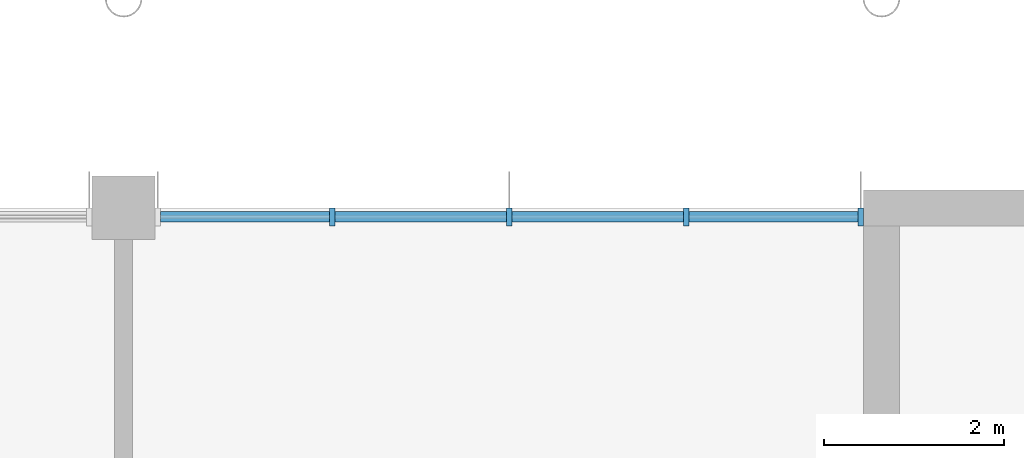
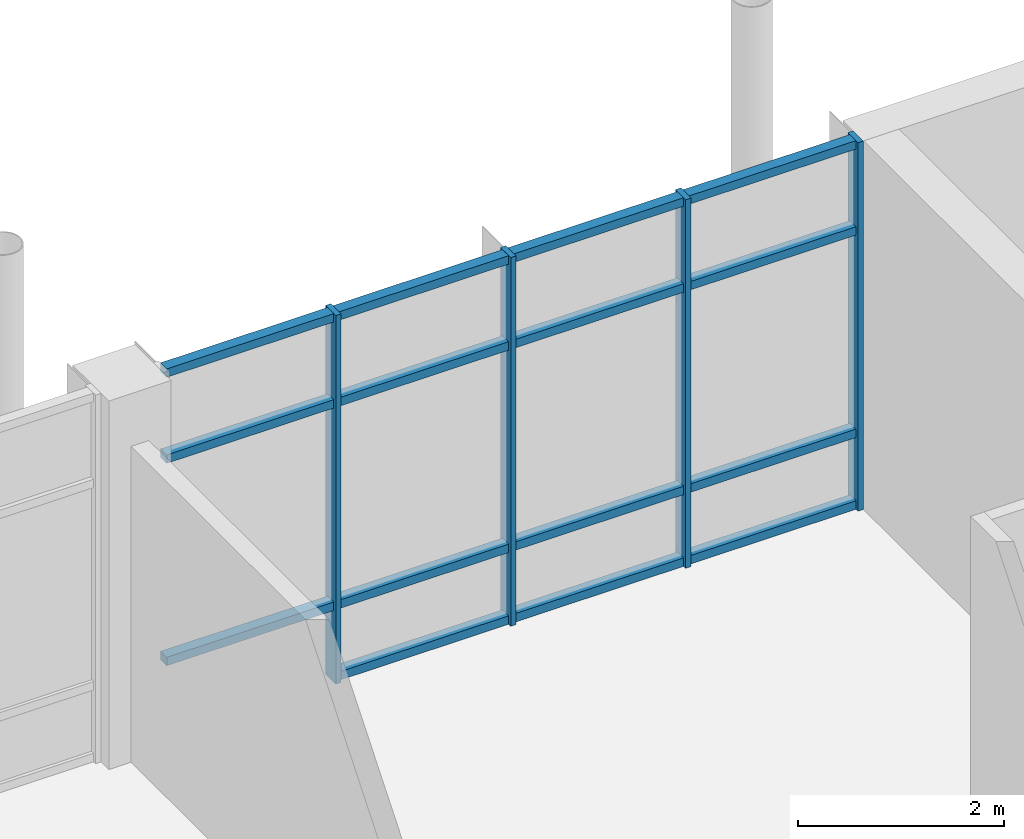
# One storey, part 23 of 70: 19 members, 1 element without a shape of its own.
"""IFC4 building model written with IfcOpenShell, lengths in metres."""

import ifcopenshell
import ifcopenshell.guid

model = None  # the IFC model being written
_history = None  # IfcOwnerHistory: only IFC2X3 demands one
_inside = {}  # id of a spatial element -> (the spatial element, [elements in it])
_under = {}  # id of a project, library or spatial element -> (it, [spatial elements below it])
_declared = {}  # id of a project -> (the project, [libraries it declares])
_typed = {}  # id of a type object -> (the type object, [elements of that type])
_made_of = {}  # id of a material, layer set ... -> (it, [elements and type objects made of it])


def new_model(schema):
    """Start an empty IFC model of exactly this schema.

    Asked for "IFC4X3", IfcOpenShell would pick the latest addendum, in which some entities
    have other attributes; the version numbers below select the first issue.
    IFC2X3 requires an IfcOwnerHistory on every rooted entity: one is made here for all.
    """
    global model, _history
    if schema == "IFC4X3":
        model = ifcopenshell.file(schema_version=(4, 3, 0, 0))
    else:
        model = ifcopenshell.file(schema=schema)
    _inside.clear()
    _under.clear()
    _declared.clear()
    _typed.clear()
    _made_of.clear()
    _history = None
    if model.schema == "IFC2X3":
        org = make("IfcOrganization", Name="unknown")
        user = make(
            "IfcPersonAndOrganization",
            ThePerson=make("IfcPerson", FamilyName="unknown"),
            TheOrganization=org,
        )
        app = make(
            "IfcApplication",
            ApplicationDeveloper=org,
            Version="unknown",
            ApplicationFullName="unknown",
            ApplicationIdentifier="unknown",
        )
        _history = make(
            "IfcOwnerHistory",
            OwningUser=user,
            OwningApplication=app,
            ChangeAction="ADDED",
            CreationDate=0,
        )
    return model


def make(cls, **values):
    """One entity of the class cls with the attributes given. An attribute that is None is left unset."""
    return model.create_entity(
        cls, **{name: value for name, value in values.items() if value is not None}
    )


def rooted(cls, **values):
    """An entity with a GlobalId (a new one), such as an element, a storey or a relation."""
    return make(cls, GlobalId=ifcopenshell.guid.new(), OwnerHistory=_history, **values)


def si_unit(unit_type, name, prefix=None):
    """IfcSIUnit, for example si_unit("LENGTHUNIT", "METRE", prefix="MILLI")."""
    return make("IfcSIUnit", UnitType=unit_type, Prefix=prefix, Name=name)


def assignment(units):
    """IfcUnitAssignment: the units of a project."""
    return None if units is None else make("IfcUnitAssignment", Units=units)


def point(xyz):
    """IfcCartesianPoint."""
    return None if xyz is None else make("IfcCartesianPoint", Coordinates=xyz)


def direction(xyz):
    """IfcDirection."""
    return None if xyz is None else make("IfcDirection", DirectionRatios=xyz)


def frame(location, z_axis=None, x_axis=None):
    """IfcAxis2Placement3D, a coordinate frame: its origin and axes. An axis left out is left unset."""
    return make(
        "IfcAxis2Placement3D",
        Location=point(location),
        Axis=direction(z_axis),
        RefDirection=direction(x_axis),
    )


def frame_2d(location, x_axis=None):
    """IfcAxis2Placement2D, a coordinate frame in the plane: its origin and x axis."""
    return make(
        "IfcAxis2Placement2D", Location=point(location), RefDirection=direction(x_axis)
    )


def origin():
    """The frame at (0, 0, 0) with its axes left unset."""
    return frame((0.0, 0.0, 0.0))


def origin_2d():
    """The frame at (0, 0) in the plane with its x axis left unset."""
    return frame_2d((0.0, 0.0))


def place(relative_to, where):
    """IfcLocalPlacement: puts the frame where relative to a parent placement (None: the world)."""
    return make(
        "IfcLocalPlacement", PlacementRelTo=relative_to, RelativePlacement=where
    )


def context(
    kind, dimensions, precision=None, world=None, true_north=None, identifier=None
):
    """IfcGeometricRepresentationContext, for example the 3D "Model" context."""
    return make(
        "IfcGeometricRepresentationContext",
        ContextIdentifier=identifier,
        ContextType=kind,
        CoordinateSpaceDimension=dimensions,
        Precision=precision,
        WorldCoordinateSystem=world,
        TrueNorth=true_north,
    )


def subcontext(parent, identifier, kind, view, scale=None):
    """IfcGeometricRepresentationSubContext, for example "Body" below "Model"."""
    return make(
        "IfcGeometricRepresentationSubContext",
        ContextIdentifier=identifier,
        ContextType=kind,
        ParentContext=parent,
        TargetScale=scale,
        TargetView=view,
    )


def project(units=None, contexts=None):
    """IfcProject with its units and contexts."""
    return rooted(
        "IfcProject",
        Name="project",
        RepresentationContexts=contexts,
        UnitsInContext=assignment(units),
    )


def spatial(cls, under=None, at=None, **own):
    """A site, building, storey or space (cls), placed at a placement, below another one or the project."""
    s = rooted(cls, ObjectPlacement=at, **own)
    if under is not None:
        _under.setdefault(under.id(), (under, []))[1].append(s)
    return s


def profile(cls, at=None, kind="AREA", **sizes):
    """A parametric profile (cls). Its sizes go by their IFC names, for example OverallWidth=200.0."""
    return make(cls, ProfileType=kind, Position=at, **sizes)


def rectangle(**sizes):
    """IfcRectangleProfileDef."""
    return profile("IfcRectangleProfileDef", **sizes)


def extrude(swept, where, along, depth):
    """IfcExtrudedAreaSolid: the profile swept, set in the frame where, extruded along a direction by depth."""
    return make(
        "IfcExtrudedAreaSolid",
        SweptArea=swept,
        Position=where,
        ExtrudedDirection=direction(along),
        Depth=depth,
    )


def shape(context_of_items, identifier, shape_type, items):
    """IfcShapeRepresentation: the items that make up one representation, for example the "Body"."""
    return make(
        "IfcShapeRepresentation",
        ContextOfItems=context_of_items,
        RepresentationIdentifier=identifier,
        RepresentationType=shape_type,
        Items=items,
    )


def material(Name=None, Category=None):
    """IfcMaterial."""
    return make("IfcMaterial", Name=Name, Category=Category)


def material_profile(
    of_material, cross_section, Name=None, Category=None, Priority=None
):
    """IfcMaterialProfile: a cross section and its material."""
    return make(
        "IfcMaterialProfile",
        Name=Name,
        Material=of_material,
        Profile=cross_section,
        Priority=Priority,
        Category=Category,
    )


def profile_set(profiles, Name=None, composite=None):
    """IfcMaterialProfileSet."""
    return make(
        "IfcMaterialProfileSet",
        Name=Name,
        MaterialProfiles=profiles,
        CompositeProfile=composite,
    )


def made_of(thing, what):
    """Note that an element or type object is made of a material, layer set ...; save() writes the relation."""
    if what is not None:
        _made_of.setdefault(what.id(), (what, []))[1].append(thing)
    return thing


def type_object(cls, material=None, **own):
    """A type object (cls), such as IfcWallType, which elements share."""
    return made_of(rooted(cls, **own), material)


def element(
    cls,
    number,
    at=None,
    inside=None,
    cuts=None,
    type_object=None,
    material=None,
    context=None,
    identifier="Body",
    shape_type=None,
    held_by="IfcProductDefinitionShape",
    body=None,
    shapes=None,
    **own,
):
    """One element of the class cls, such as IfcWall. Its Tag is "e" and its number.

    at: its placement. inside: the storey or other place that contains it. cuts: it is an
    opening in that element (IfcRelVoidsElement). A single representation is given by context,
    identifier, shape_type and body (its items); several are given by shapes. held_by: the class
    of the entity that holds the representations. save() writes the other relations.
    """
    e = rooted(cls, Tag="e%d" % number, ObjectPlacement=at, **own)
    if body is not None:
        shapes = [shape(context, identifier, shape_type, body)]
    if shapes is not None:
        e.Representation = make(held_by, Representations=shapes)
    if inside is not None:
        _inside.setdefault(inside.id(), (inside, []))[1].append(e)
    if cuts is not None:
        rooted(
            "IfcRelVoidsElement", RelatingBuildingElement=cuts, RelatedOpeningElement=e
        )
    if type_object is not None:
        _typed.setdefault(type_object.id(), (type_object, []))[1].append(e)
    return made_of(e, material)


def aggregate(whole, parts):
    """IfcRelAggregates: a whole, such as a stair, and the parts it consists of."""
    return rooted("IfcRelAggregates", RelatingObject=whole, RelatedObjects=parts)


def save(model, path):
    """Write the relations noted so far, then the file.

    IfcRelAggregates (storeys below a building ...), IfcRelContainedInSpatialStructure (elements
    in a storey), IfcRelDefinesByType, IfcRelAssociatesMaterial and IfcRelDeclares: one each for
    every whole, place, type object, material and project.
    """
    for whole, parts in _under.values():
        aggregate(whole, parts)
    for where, things in _inside.values():
        rooted(
            "IfcRelContainedInSpatialStructure",
            RelatedElements=things,
            RelatingStructure=where,
        )
    for kind, things in _typed.values():
        rooted("IfcRelDefinesByType", RelatedObjects=things, RelatingType=kind)
    for what, things in _made_of.values():
        rooted("IfcRelAssociatesMaterial", RelatedObjects=things, RelatingMaterial=what)
    for by, libraries in _declared.values():
        rooted("IfcRelDeclares", RelatingContext=by, RelatedDefinitions=libraries)
    model.write(path)


model = new_model("IFC4")

# Units and contexts
model_context = context("Model", 3, precision=1e-05, world=origin(), true_north=direction((0.0, 1.0)))
body_context = subcontext(model_context, "Body", "Model", "MODEL_VIEW")
ifc_project = project(units=[si_unit("LENGTHUNIT", "METRE"), si_unit("AREAUNIT", "SQUARE_METRE"), si_unit("VOLUMEUNIT", "CUBIC_METRE"), si_unit("PLANEANGLEUNIT", "RADIAN"), si_unit("MASSUNIT", "GRAM", prefix="KILO")], contexts=[model_context])

# Site, building, storey
site_placement = place(None, origin())
site = spatial("IfcSite", under=ifc_project, at=site_placement, CompositionType="ELEMENT")
building_placement = place(site_placement, origin())
building = spatial("IfcBuilding", under=site, at=building_placement, Name="Hlaing Beacon Police Headquarters", CompositionType="ELEMENT")
storey_placement = place(building_placement, frame((0.0, 0.0, 5.39990234375)))
storey = spatial("IfcBuildingStorey", under=building, at=storey_placement, Name="L01", CompositionType="ELEMENT", Elevation=5.39990234375)

# Curtain wall, members
ifc_material_1 = material(Name="Aluminium frame with solar control glazing", Category="aluminium")
curtain_wall_type = type_object("IfcCurtainWallType", Name="Unitised curtain wall 7.85 x 4.37", PredefinedType="NOTDEFINED", material=ifc_material_1)
curtain_wall_placement = place(storey_placement, origin())
curtain_wall = element("IfcCurtainWall", 1, at=curtain_wall_placement, inside=storey, type_object=curtain_wall_type, Name="ENV-CW-L01-N028", PredefinedType="NOTDEFINED")
ifc_material_2 = material(Name="Aluminium", Category="aluminium")
ifc_material_profile_1 = material_profile(ifc_material_2, rectangle(XDim=0.199951171875, YDim=0.06005859375, at=origin_2d()), Name="Mullion 60x200")
ifc_profile_set_1 = profile_set([ifc_material_profile_1], Name="Aluminium")
member_type_1 = type_object("IfcMemberType", Name="Mullion 60x200", PredefinedType="MULLION", material=ifc_profile_set_1)
member_1_placement = place(storey_placement, frame((58.570068359375, 92.300048828125, 0.0), z_axis=(0.0, 0.0, 1.0), x_axis=(0.0, -1.0, 0.0)))
member_1 = element("IfcMember", 2, at=member_1_placement, type_object=member_type_1, Name="CW-L01-N028 mullion 1", PredefinedType="MULLION", context=body_context, shape_type="SweptSolid", body=[
    extrude(rectangle(XDim=0.199951171875, YDim=0.06005859375, at=origin_2d()), origin(), (0.0, 0.0, 1.0), 4.3701171875),
])
member_2_placement = place(storey_placement, frame((56.637451171875, 92.300048828125, 0.0), z_axis=(0.0, 0.0, 1.0), x_axis=(0.0, -1.0, 0.0)))
member_2 = element("IfcMember", 3, at=member_2_placement, type_object=member_type_1, Name="CW-L01-N028 mullion 2", PredefinedType="MULLION", context=body_context, shape_type="SweptSolid", body=[
    extrude(rectangle(XDim=0.199951171875, YDim=0.06005859375, at=origin_2d()), origin(), (0.0, 0.0, 1.0), 4.3701171875),
])
member_3_placement = place(storey_placement, frame((54.675048828125, 92.300048828125, 0.0), z_axis=(0.0, 0.0, 1.0), x_axis=(0.0, -1.0, 0.0)))
member_3 = element("IfcMember", 4, at=member_3_placement, type_object=member_type_1, Name="CW-L01-N028 mullion 3", PredefinedType="MULLION", context=body_context, shape_type="SweptSolid", body=[
    extrude(rectangle(XDim=0.199951171875, YDim=0.06005859375, at=origin_2d()), origin(), (0.0, 0.0, 1.0), 4.3701171875),
])
member_4_placement = place(storey_placement, frame((52.71240234375, 92.300048828125, 0.0), z_axis=(0.0, 0.0, 1.0), x_axis=(0.0, -1.0, 0.0)))
member_4 = element("IfcMember", 5, at=member_4_placement, type_object=member_type_1, Name="CW-L01-N028 mullion 4", PredefinedType="MULLION", context=body_context, shape_type="SweptSolid", body=[
    extrude(rectangle(XDim=0.199951171875, YDim=0.06005859375, at=origin_2d()), origin(), (0.0, 0.0, 1.0), 4.3701171875),
])
ifc_material_3 = material(Name="Aluminium", Category="aluminium")
ifc_material_profile_2 = material_profile(ifc_material_3, rectangle(XDim=0.1201171875, YDim=0.10009765625, at=origin_2d()), Name="Transom 120x100")
ifc_profile_set_2 = profile_set([ifc_material_profile_2], Name="Aluminium")
member_type_2 = type_object("IfcMemberType", Name="Transom 120x100", PredefinedType="USERDEFINED", material=ifc_profile_set_2)
member_5_placement = place(storey_placement, frame((58.5400390625, 92.300048828125, 0.050048828125), z_axis=(-1.0, 0.0, 0.0), x_axis=(0.0, -1.0, 0.0)))
member_5 = element("IfcMember", 6, at=member_5_placement, type_object=member_type_2, Name="CW-L01-N028 transom 1.1", ObjectType="TRANSOM", PredefinedType="USERDEFINED", context=body_context, shape_type="SweptSolid", body=[
    extrude(rectangle(XDim=0.1201171875, YDim=0.10009765625, at=origin_2d()), origin(), (0.0, 0.0, 1.0), 1.87255859375),
])
member_6_placement = place(storey_placement, frame((58.5400390625, 92.300048828125, 0.900146484375), z_axis=(-1.0, 0.0, 0.0), x_axis=(0.0, -1.0, 0.0)))
member_6 = element("IfcMember", 7, at=member_6_placement, type_object=member_type_2, Name="CW-L01-N028 transom 1.2", ObjectType="TRANSOM", PredefinedType="USERDEFINED", context=body_context, shape_type="SweptSolid", body=[
    extrude(rectangle(XDim=0.1201171875, YDim=0.10009765625, at=origin_2d()), origin(), (0.0, 0.0, 1.0), 1.87255859375),
])
member_7_placement = place(storey_placement, frame((58.5400390625, 92.300048828125, 3.300048828125), z_axis=(-1.0, 0.0, 0.0), x_axis=(0.0, -1.0, 0.0)))
member_7 = element("IfcMember", 8, at=member_7_placement, type_object=member_type_2, Name="CW-L01-N028 transom 1.3", ObjectType="TRANSOM", PredefinedType="USERDEFINED", context=body_context, shape_type="SweptSolid", body=[
    extrude(rectangle(XDim=0.1201171875, YDim=0.10009765625, at=origin_2d()), origin(), (0.0, 0.0, 1.0), 1.87255859375),
])
member_8_placement = place(storey_placement, frame((58.5400390625, 92.300048828125, 4.320068359375), z_axis=(-1.0, 0.0, 0.0), x_axis=(0.0, -1.0, 0.0)))
member_8 = element("IfcMember", 9, at=member_8_placement, type_object=member_type_2, Name="CW-L01-N028 transom 1.4", ObjectType="TRANSOM", PredefinedType="USERDEFINED", context=body_context, shape_type="SweptSolid", body=[
    extrude(rectangle(XDim=0.1201171875, YDim=0.10009765625, at=origin_2d()), origin(), (0.0, 0.0, 1.0), 1.87255859375),
])
member_9_placement = place(storey_placement, frame((56.607421875, 92.300048828125, 0.050048828125), z_axis=(-1.0, 0.0, 0.0), x_axis=(0.0, -1.0, 0.0)))
member_9 = element("IfcMember", 10, at=member_9_placement, type_object=member_type_2, Name="CW-L01-N028 transom 2.1", ObjectType="TRANSOM", PredefinedType="USERDEFINED", context=body_context, shape_type="SweptSolid", body=[
    extrude(rectangle(XDim=0.1201171875, YDim=0.10009765625, at=origin_2d()), origin(), (0.0, 0.0, 1.0), 1.90234375),
])
member_10_placement = place(storey_placement, frame((56.607421875, 92.300048828125, 0.900146484375), z_axis=(-1.0, 0.0, 0.0), x_axis=(0.0, -1.0, 0.0)))
member_10 = element("IfcMember", 11, at=member_10_placement, type_object=member_type_2, Name="CW-L01-N028 transom 2.2", ObjectType="TRANSOM", PredefinedType="USERDEFINED", context=body_context, shape_type="SweptSolid", body=[
    extrude(rectangle(XDim=0.1201171875, YDim=0.10009765625, at=origin_2d()), origin(), (0.0, 0.0, 1.0), 1.90234375),
])
member_11_placement = place(storey_placement, frame((56.607421875, 92.300048828125, 3.300048828125), z_axis=(-1.0, 0.0, 0.0), x_axis=(0.0, -1.0, 0.0)))
member_11 = element("IfcMember", 12, at=member_11_placement, type_object=member_type_2, Name="CW-L01-N028 transom 2.3", ObjectType="TRANSOM", PredefinedType="USERDEFINED", context=body_context, shape_type="SweptSolid", body=[
    extrude(rectangle(XDim=0.1201171875, YDim=0.10009765625, at=origin_2d()), origin(), (0.0, 0.0, 1.0), 1.90234375),
])
member_12_placement = place(storey_placement, frame((56.607421875, 92.300048828125, 4.320068359375), z_axis=(-1.0, 0.0, 0.0), x_axis=(0.0, -1.0, 0.0)))
member_12 = element("IfcMember", 13, at=member_12_placement, type_object=member_type_2, Name="CW-L01-N028 transom 2.4", ObjectType="TRANSOM", PredefinedType="USERDEFINED", context=body_context, shape_type="SweptSolid", body=[
    extrude(rectangle(XDim=0.1201171875, YDim=0.10009765625, at=origin_2d()), origin(), (0.0, 0.0, 1.0), 1.90234375),
])
member_13_placement = place(storey_placement, frame((54.64501953125, 92.300048828125, 0.050048828125), z_axis=(-1.0, 0.0, 0.0), x_axis=(0.0, -1.0, 0.0)))
member_13 = element("IfcMember", 14, at=member_13_placement, type_object=member_type_2, Name="CW-L01-N028 transom 3.1", ObjectType="TRANSOM", PredefinedType="USERDEFINED", context=body_context, shape_type="SweptSolid", body=[
    extrude(rectangle(XDim=0.1201171875, YDim=0.10009765625, at=origin_2d()), origin(), (0.0, 0.0, 1.0), 1.902587890625),
])
member_14_placement = place(storey_placement, frame((54.64501953125, 92.300048828125, 0.900146484375), z_axis=(-1.0, 0.0, 0.0), x_axis=(0.0, -1.0, 0.0)))
member_14 = element("IfcMember", 15, at=member_14_placement, type_object=member_type_2, Name="CW-L01-N028 transom 3.2", ObjectType="TRANSOM", PredefinedType="USERDEFINED", context=body_context, shape_type="SweptSolid", body=[
    extrude(rectangle(XDim=0.1201171875, YDim=0.10009765625, at=origin_2d()), origin(), (0.0, 0.0, 1.0), 1.902587890625),
])
member_15_placement = place(storey_placement, frame((54.64501953125, 92.300048828125, 3.300048828125), z_axis=(-1.0, 0.0, 0.0), x_axis=(0.0, -1.0, 0.0)))
member_15 = element("IfcMember", 16, at=member_15_placement, type_object=member_type_2, Name="CW-L01-N028 transom 3.3", ObjectType="TRANSOM", PredefinedType="USERDEFINED", context=body_context, shape_type="SweptSolid", body=[
    extrude(rectangle(XDim=0.1201171875, YDim=0.10009765625, at=origin_2d()), origin(), (0.0, 0.0, 1.0), 1.902587890625),
])
member_16_placement = place(storey_placement, frame((54.64501953125, 92.300048828125, 4.320068359375), z_axis=(-1.0, 0.0, 0.0), x_axis=(0.0, -1.0, 0.0)))
member_16 = element("IfcMember", 17, at=member_16_placement, type_object=member_type_2, Name="CW-L01-N028 transom 3.4", ObjectType="TRANSOM", PredefinedType="USERDEFINED", context=body_context, shape_type="SweptSolid", body=[
    extrude(rectangle(XDim=0.1201171875, YDim=0.10009765625, at=origin_2d()), origin(), (0.0, 0.0, 1.0), 1.902587890625),
])
member_17_placement = place(storey_placement, frame((52.6826171875, 92.300048828125, 0.900146484375), z_axis=(-1.0, 0.0, 0.0), x_axis=(0.0, -1.0, 0.0)))
member_17 = element("IfcMember", 18, at=member_17_placement, type_object=member_type_2, Name="CW-L01-N028 transom 4.2", ObjectType="TRANSOM", PredefinedType="USERDEFINED", context=body_context, shape_type="SweptSolid", body=[
    extrude(rectangle(XDim=0.1201171875, YDim=0.10009765625, at=origin_2d()), origin(), (0.0, 0.0, 1.0), 1.87255859375),
])
member_18_placement = place(storey_placement, frame((52.6826171875, 92.300048828125, 3.300048828125), z_axis=(-1.0, 0.0, 0.0), x_axis=(0.0, -1.0, 0.0)))
member_18 = element("IfcMember", 19, at=member_18_placement, type_object=member_type_2, Name="CW-L01-N028 transom 4.3", ObjectType="TRANSOM", PredefinedType="USERDEFINED", context=body_context, shape_type="SweptSolid", body=[
    extrude(rectangle(XDim=0.1201171875, YDim=0.10009765625, at=origin_2d()), origin(), (0.0, 0.0, 1.0), 1.87255859375),
])
member_19_placement = place(storey_placement, frame((52.6826171875, 92.300048828125, 4.320068359375), z_axis=(-1.0, 0.0, 0.0), x_axis=(0.0, -1.0, 0.0)))
member_19 = element("IfcMember", 20, at=member_19_placement, type_object=member_type_2, Name="CW-L01-N028 transom 4.4", ObjectType="TRANSOM", PredefinedType="USERDEFINED", context=body_context, shape_type="SweptSolid", body=[
    extrude(rectangle(XDim=0.1201171875, YDim=0.10009765625, at=origin_2d()), origin(), (0.0, 0.0, 1.0), 1.87255859375),
])
aggregate(curtain_wall, [member_1, member_2, member_3, member_4, member_5, member_6, member_7, member_8, member_9, member_10, member_11, member_12, member_13, member_14, member_15, member_16, member_17, member_18, member_19])

save(model, "model.ifc")
